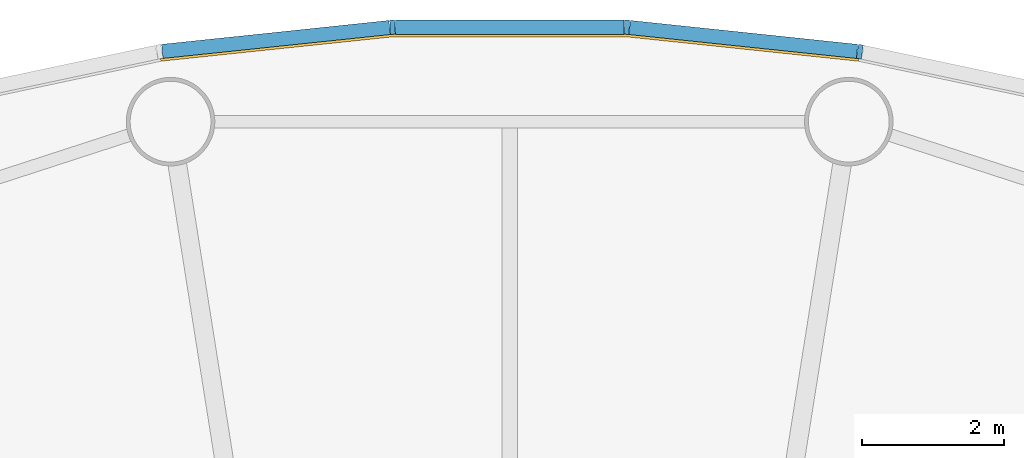
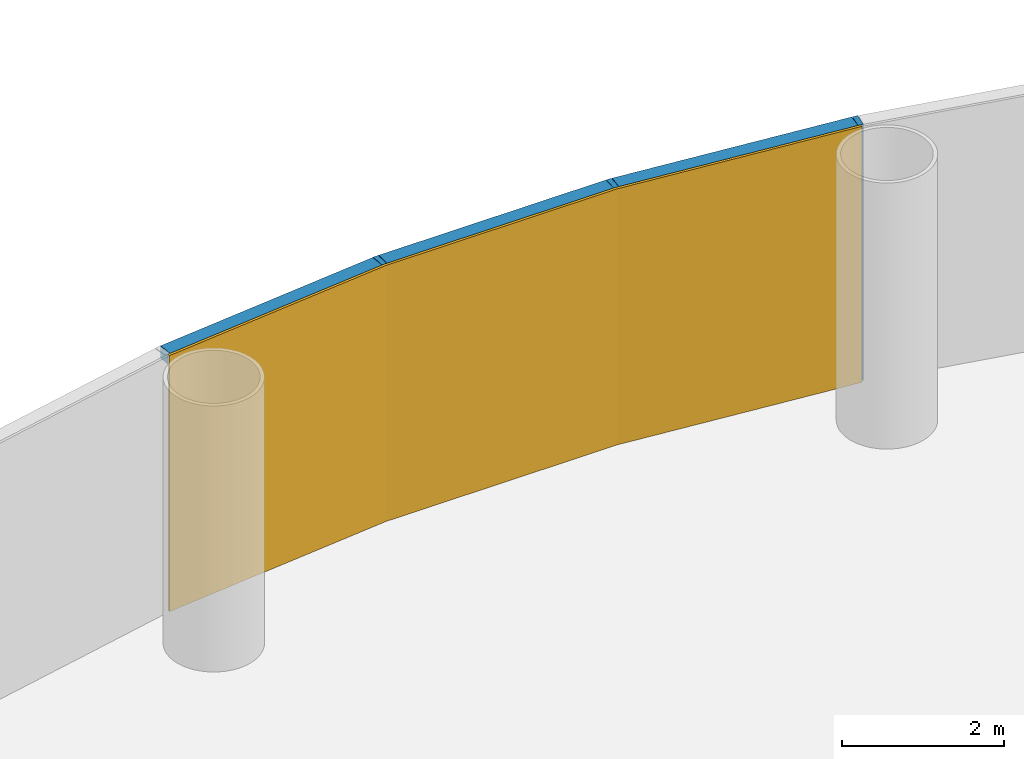
# One storey, part 11 of 13: 6 members, 1 curtain wall.
"""IFC4 building model written with IfcOpenShell, lengths in metres."""

import ifcopenshell
import ifcopenshell.guid

model = None  # the IFC model being written
_history = None  # IfcOwnerHistory: only IFC2X3 demands one
_inside = {}  # id of a spatial element -> (the spatial element, [elements in it])
_under = {}  # id of a project, library or spatial element -> (it, [spatial elements below it])
_declared = {}  # id of a project -> (the project, [libraries it declares])
_typed = {}  # id of a type object -> (the type object, [elements of that type])
_made_of = {}  # id of a material, layer set ... -> (it, [elements and type objects made of it])


def new_model(schema):
    """Start an empty IFC model of exactly this schema.

    Asked for "IFC4X3", IfcOpenShell would pick the latest addendum, in which some entities
    have other attributes; the version numbers below select the first issue.
    IFC2X3 requires an IfcOwnerHistory on every rooted entity: one is made here for all.
    """
    global model, _history
    if schema == "IFC4X3":
        model = ifcopenshell.file(schema_version=(4, 3, 0, 0))
    else:
        model = ifcopenshell.file(schema=schema)
    _inside.clear()
    _under.clear()
    _declared.clear()
    _typed.clear()
    _made_of.clear()
    _history = None
    if model.schema == "IFC2X3":
        org = make("IfcOrganization", Name="unknown")
        user = make(
            "IfcPersonAndOrganization",
            ThePerson=make("IfcPerson", FamilyName="unknown"),
            TheOrganization=org,
        )
        app = make(
            "IfcApplication",
            ApplicationDeveloper=org,
            Version="unknown",
            ApplicationFullName="unknown",
            ApplicationIdentifier="unknown",
        )
        _history = make(
            "IfcOwnerHistory",
            OwningUser=user,
            OwningApplication=app,
            ChangeAction="ADDED",
            CreationDate=0,
        )
    return model


def make(cls, **values):
    """One entity of the class cls with the attributes given. An attribute that is None is left unset."""
    return model.create_entity(
        cls, **{name: value for name, value in values.items() if value is not None}
    )


def rooted(cls, **values):
    """An entity with a GlobalId (a new one), such as an element, a storey or a relation."""
    return make(cls, GlobalId=ifcopenshell.guid.new(), OwnerHistory=_history, **values)


def si_unit(unit_type, name, prefix=None):
    """IfcSIUnit, for example si_unit("LENGTHUNIT", "METRE", prefix="MILLI")."""
    return make("IfcSIUnit", UnitType=unit_type, Prefix=prefix, Name=name)


def assignment(units):
    """IfcUnitAssignment: the units of a project."""
    return None if units is None else make("IfcUnitAssignment", Units=units)


def point(xyz):
    """IfcCartesianPoint."""
    return None if xyz is None else make("IfcCartesianPoint", Coordinates=xyz)


def direction(xyz):
    """IfcDirection."""
    return None if xyz is None else make("IfcDirection", DirectionRatios=xyz)


def frame(location, z_axis=None, x_axis=None):
    """IfcAxis2Placement3D, a coordinate frame: its origin and axes. An axis left out is left unset."""
    return make(
        "IfcAxis2Placement3D",
        Location=point(location),
        Axis=direction(z_axis),
        RefDirection=direction(x_axis),
    )


def frame_2d(location, x_axis=None):
    """IfcAxis2Placement2D, a coordinate frame in the plane: its origin and x axis."""
    return make(
        "IfcAxis2Placement2D", Location=point(location), RefDirection=direction(x_axis)
    )


def origin():
    """The frame at (0, 0, 0) with its axes left unset."""
    return frame((0.0, 0.0, 0.0))


def origin_2d():
    """The frame at (0, 0) in the plane with its x axis left unset."""
    return frame_2d((0.0, 0.0))


def place(relative_to, where):
    """IfcLocalPlacement: puts the frame where relative to a parent placement (None: the world)."""
    return make(
        "IfcLocalPlacement", PlacementRelTo=relative_to, RelativePlacement=where
    )


def context(
    kind, dimensions, precision=None, world=None, true_north=None, identifier=None
):
    """IfcGeometricRepresentationContext, for example the 3D "Model" context."""
    return make(
        "IfcGeometricRepresentationContext",
        ContextIdentifier=identifier,
        ContextType=kind,
        CoordinateSpaceDimension=dimensions,
        Precision=precision,
        WorldCoordinateSystem=world,
        TrueNorth=true_north,
    )


def subcontext(parent, identifier, kind, view, scale=None):
    """IfcGeometricRepresentationSubContext, for example "Body" below "Model"."""
    return make(
        "IfcGeometricRepresentationSubContext",
        ContextIdentifier=identifier,
        ContextType=kind,
        ParentContext=parent,
        TargetScale=scale,
        TargetView=view,
    )


def project(units=None, contexts=None):
    """IfcProject with its units and contexts."""
    return rooted(
        "IfcProject",
        Name="project",
        RepresentationContexts=contexts,
        UnitsInContext=assignment(units),
    )


def spatial(cls, under=None, at=None, **own):
    """A site, building, storey or space (cls), placed at a placement, below another one or the project."""
    s = rooted(cls, ObjectPlacement=at, **own)
    if under is not None:
        _under.setdefault(under.id(), (under, []))[1].append(s)
    return s


def polyline(points):
    """IfcPolyline through the points."""
    return make("IfcPolyline", Points=[point(p) for p in points])


def profile(cls, at=None, kind="AREA", **sizes):
    """A parametric profile (cls). Its sizes go by their IFC names, for example OverallWidth=200.0."""
    return make(cls, ProfileType=kind, Position=at, **sizes)


def rectangle(**sizes):
    """IfcRectangleProfileDef."""
    return profile("IfcRectangleProfileDef", **sizes)


def outline(outer, holes=None, kind="AREA"):
    """IfcArbitraryClosedProfileDef: a profile drawn as a closed curve; with holes, ...WithVoids."""
    if holes is None:
        return make("IfcArbitraryClosedProfileDef", ProfileType=kind, OuterCurve=outer)
    return make(
        "IfcArbitraryProfileDefWithVoids",
        ProfileType=kind,
        OuterCurve=outer,
        InnerCurves=holes,
    )


def extrude(swept, where, along, depth):
    """IfcExtrudedAreaSolid: the profile swept, set in the frame where, extruded along a direction by depth."""
    return make(
        "IfcExtrudedAreaSolid",
        SweptArea=swept,
        Position=where,
        ExtrudedDirection=direction(along),
        Depth=depth,
    )


def shape(context_of_items, identifier, shape_type, items):
    """IfcShapeRepresentation: the items that make up one representation, for example the "Body"."""
    return make(
        "IfcShapeRepresentation",
        ContextOfItems=context_of_items,
        RepresentationIdentifier=identifier,
        RepresentationType=shape_type,
        Items=items,
    )


def material(Name=None, Category=None):
    """IfcMaterial."""
    return make("IfcMaterial", Name=Name, Category=Category)


def layer(
    of_material, thickness, ventilated=None, Name=None, Category=None, Priority=None
):
    """IfcMaterialLayer: one layer of a wall or slab, of a material (None: an air gap)."""
    return make(
        "IfcMaterialLayer",
        Material=of_material,
        LayerThickness=thickness,
        IsVentilated=ventilated,
        Name=Name,
        Category=Category,
        Priority=Priority,
    )


def layer_set(layers, Name=None):
    """IfcMaterialLayerSet."""
    return make("IfcMaterialLayerSet", MaterialLayers=layers, LayerSetName=Name)


def material_profile(
    of_material, cross_section, Name=None, Category=None, Priority=None
):
    """IfcMaterialProfile: a cross section and its material."""
    return make(
        "IfcMaterialProfile",
        Name=Name,
        Material=of_material,
        Profile=cross_section,
        Priority=Priority,
        Category=Category,
    )


def profile_set(profiles, Name=None, composite=None):
    """IfcMaterialProfileSet."""
    return make(
        "IfcMaterialProfileSet",
        Name=Name,
        MaterialProfiles=profiles,
        CompositeProfile=composite,
    )


def made_of(thing, what):
    """Note that an element or type object is made of a material, layer set ...; save() writes the relation."""
    if what is not None:
        _made_of.setdefault(what.id(), (what, []))[1].append(thing)
    return thing


def type_object(cls, material=None, **own):
    """A type object (cls), such as IfcWallType, which elements share."""
    return made_of(rooted(cls, **own), material)


def element(
    cls,
    number,
    at=None,
    inside=None,
    cuts=None,
    type_object=None,
    material=None,
    context=None,
    identifier="Body",
    shape_type=None,
    held_by="IfcProductDefinitionShape",
    body=None,
    shapes=None,
    **own,
):
    """One element of the class cls, such as IfcWall. Its Tag is "e" and its number.

    at: its placement. inside: the storey or other place that contains it. cuts: it is an
    opening in that element (IfcRelVoidsElement). A single representation is given by context,
    identifier, shape_type and body (its items); several are given by shapes. held_by: the class
    of the entity that holds the representations. save() writes the other relations.
    """
    e = rooted(cls, Tag="e%d" % number, ObjectPlacement=at, **own)
    if body is not None:
        shapes = [shape(context, identifier, shape_type, body)]
    if shapes is not None:
        e.Representation = make(held_by, Representations=shapes)
    if inside is not None:
        _inside.setdefault(inside.id(), (inside, []))[1].append(e)
    if cuts is not None:
        rooted(
            "IfcRelVoidsElement", RelatingBuildingElement=cuts, RelatedOpeningElement=e
        )
    if type_object is not None:
        _typed.setdefault(type_object.id(), (type_object, []))[1].append(e)
    return made_of(e, material)


def aggregate(whole, parts):
    """IfcRelAggregates: a whole, such as a stair, and the parts it consists of."""
    return rooted("IfcRelAggregates", RelatingObject=whole, RelatedObjects=parts)


def save(model, path):
    """Write the relations noted so far, then the file.

    IfcRelAggregates (storeys below a building ...), IfcRelContainedInSpatialStructure (elements
    in a storey), IfcRelDefinesByType, IfcRelAssociatesMaterial and IfcRelDeclares: one each for
    every whole, place, type object, material and project.
    """
    for whole, parts in _under.values():
        aggregate(whole, parts)
    for where, things in _inside.values():
        rooted(
            "IfcRelContainedInSpatialStructure",
            RelatedElements=things,
            RelatingStructure=where,
        )
    for kind, things in _typed.values():
        rooted("IfcRelDefinesByType", RelatedObjects=things, RelatingType=kind)
    for what, things in _made_of.values():
        rooted("IfcRelAssociatesMaterial", RelatedObjects=things, RelatingMaterial=what)
    for by, libraries in _declared.values():
        rooted("IfcRelDeclares", RelatingContext=by, RelatedDefinitions=libraries)
    model.write(path)


model = new_model("IFC4")

# Units and contexts
model_context = context("Model", 3, precision=1e-05, world=origin(), true_north=direction((0.0, 1.0)))
body_context = subcontext(model_context, "Body", "Model", "MODEL_VIEW")
ifc_project = project(units=[si_unit("LENGTHUNIT", "METRE"), si_unit("AREAUNIT", "SQUARE_METRE"), si_unit("VOLUMEUNIT", "CUBIC_METRE"), si_unit("PLANEANGLEUNIT", "RADIAN"), si_unit("MASSUNIT", "GRAM", prefix="KILO")], contexts=[model_context])

# Member
ifc_material_1 = material(Name="Anodised aluminium", Category="aluminium")
ifc_material_profile_1 = material_profile(ifc_material_1, rectangle(XDim=0.070068359375, YDim=0.199951171875, at=origin_2d()), Name="Mullion 70 x 200 mm anodised aluminium")
ifc_profile_set_1 = profile_set([ifc_material_profile_1], Name="Anodised aluminium")
member_type_1 = type_object("IfcMemberType", Name="Mullion 70 x 200 mm anodised aluminium", PredefinedType="MULLION", material=ifc_profile_set_1)
site_placement = place(None, origin())
building_placement = place(site_placement, origin())
storey_placement = place(building_placement, frame((0.0, 0.0, 108.0)))
member_1_placement = place(storey_placement, frame((94.943359375, 111.2109375, 0.0), z_axis=(0.0, 0.0, 1.0), x_axis=(-0.987688340595, 0.15643446504, 0.0)))
member_1 = element("IfcMember", 1, at=member_1_placement, type_object=member_type_1, Name="MULLION L24-12", PredefinedType="MULLION", context=body_context, shape_type="SweptSolid", body=[
    extrude(rectangle(XDim=0.070068359375, YDim=0.199951171875, at=origin_2d()), origin(), (0.0, 0.0, 1.0), 3.85009765625),
])

member_2_placement = place(storey_placement, frame((91.65380859375, 111.556640625, 0.0), z_axis=(0.0, 0.0, 1.0), x_axis=(-0.998629534755, 0.052335956243, 0.0)))
member_2 = element("IfcMember", 2, at=member_2_placement, type_object=member_type_1, Name="MULLION L24-13", PredefinedType="MULLION", context=body_context, shape_type="SweptSolid", body=[
    extrude(rectangle(XDim=0.070068359375, YDim=0.199951171875, at=origin_2d()), origin(), (0.0, 0.0, 1.0), 3.85009765625),
])

member_3_placement = place(storey_placement, frame((88.34619140625, 111.556640625, 0.0), z_axis=(0.0, 0.0, 1.0), x_axis=(-0.998629534755, -0.052335956243, 0.0)))
member_3 = element("IfcMember", 3, at=member_3_placement, type_object=member_type_1, Name="MULLION L24-14", PredefinedType="MULLION", context=body_context, shape_type="SweptSolid", body=[
    extrude(rectangle(XDim=0.070068359375, YDim=0.199951171875, at=origin_2d()), origin(), (0.0, 0.0, 1.0), 3.85009765625),
])

ifc_material_2 = material(Name="Anodised aluminium", Category="aluminium")
ifc_material_profile_2 = material_profile(ifc_material_2, rectangle(XDim=0.199951171875, YDim=0.18994140625, at=origin_2d()), Name="Transom 190 x 200 mm anodised aluminium")
ifc_profile_set_2 = profile_set([ifc_material_profile_2], Name="Anodised aluminium")
member_type_2 = type_object("IfcMemberType", Name="Transom 190 x 200 mm anodised aluminium", PredefinedType="USERDEFINED", material=ifc_profile_set_2)
member_4_placement = place(storey_placement, frame((94.9033203125, 111.21533203125, 3.7548828125), z_axis=(-0.994519537956, 0.104550890115, 0.0), x_axis=(-0.104550890115, -0.994519537956, 0.0)))
member_4 = element("IfcMember", 4, at=member_4_placement, type_object=member_type_2, Name="TRANSOM L24-12", ObjectType="TRANSOM", PredefinedType="USERDEFINED", context=body_context, shape_type="SweptSolid", body=[
    extrude(rectangle(XDim=0.199951171875, YDim=0.18994140625, at=origin_2d()), origin(), (0.0, 0.0, 1.0), 3.22705078125),
])

member_5_placement = place(storey_placement, frame((91.613525390625, 111.556884765625, 3.7548828125), z_axis=(-1.0, 0.0, 0.0), x_axis=(0.0, -1.0, 0.0)))
member_5 = element("IfcMember", 5, at=member_5_placement, type_object=member_type_2, Name="TRANSOM L24-13", ObjectType="TRANSOM", PredefinedType="USERDEFINED", context=body_context, shape_type="SweptSolid", body=[
    extrude(rectangle(XDim=0.199951171875, YDim=0.18994140625, at=origin_2d()), origin(), (0.0, 0.0, 1.0), 3.22705078125),
])

member_6_placement = place(storey_placement, frame((88.30615234375, 111.552734375, 3.7548828125), z_axis=(-0.994519537956, -0.104550890115, 0.0), x_axis=(0.104550890115, -0.994519537956, 0.0)))
member_6 = element("IfcMember", 6, at=member_6_placement, type_object=member_type_2, Name="TRANSOM L24-14", ObjectType="TRANSOM", PredefinedType="USERDEFINED", context=body_context, shape_type="SweptSolid", body=[
    extrude(rectangle(XDim=0.199951171875, YDim=0.18994140625, at=origin_2d()), origin(), (0.0, 0.0, 1.0), 3.22705078125),
])

# Site, building, storey
site = spatial("IfcSite", under=ifc_project, at=site_placement, CompositionType="ELEMENT")
building = spatial("IfcBuilding", under=site, at=building_placement, Name="Entoto Ring Tower", CompositionType="ELEMENT")
storey = spatial("IfcBuildingStorey", under=building, at=storey_placement, Name="L24", CompositionType="ELEMENT", Elevation=108.0)

# Curtain wall
ifc_material_3 = material(Name="Clear low-iron glass", Category="glass")
ifc_layer = layer(ifc_material_3, 0.035888671875)
ifc_layer_set = layer_set([ifc_layer], Name="Clear low-iron glass")
curtain_wall_type = type_object("IfcCurtainWallType", Name="Curtain wall system CW2 glazing 36 mm", PredefinedType="NOTDEFINED", material=ifc_layer_set)
curtain_wall_placement = place(storey_placement, origin())
curtain_wall = element("IfcCurtainWall", 7, at=curtain_wall_placement, inside=storey, type_object=curtain_wall_type, Name="CW2 L24-05", PredefinedType="NOTDEFINED", context=body_context, shape_type="SweptSolid", body=[
    extrude(outline(polyline([(94.927734375, 111.1123046875), (91.648681640625, 111.456787109375), (88.351318359375, 111.456787109375), (85.072265625, 111.1123046875), (85.077880859375, 111.07666015625), (88.353271484375, 111.4208984375), (91.646728515625, 111.4208984375), (94.922119140625, 111.07666015625), (94.927734375, 111.1123046875)])), origin(), (0.0, 0.0, 1.0), 3.85009765625),
])

aggregate(curtain_wall, [member_1, member_2, member_3, member_4, member_5, member_6])

save(model, "model.ifc")
